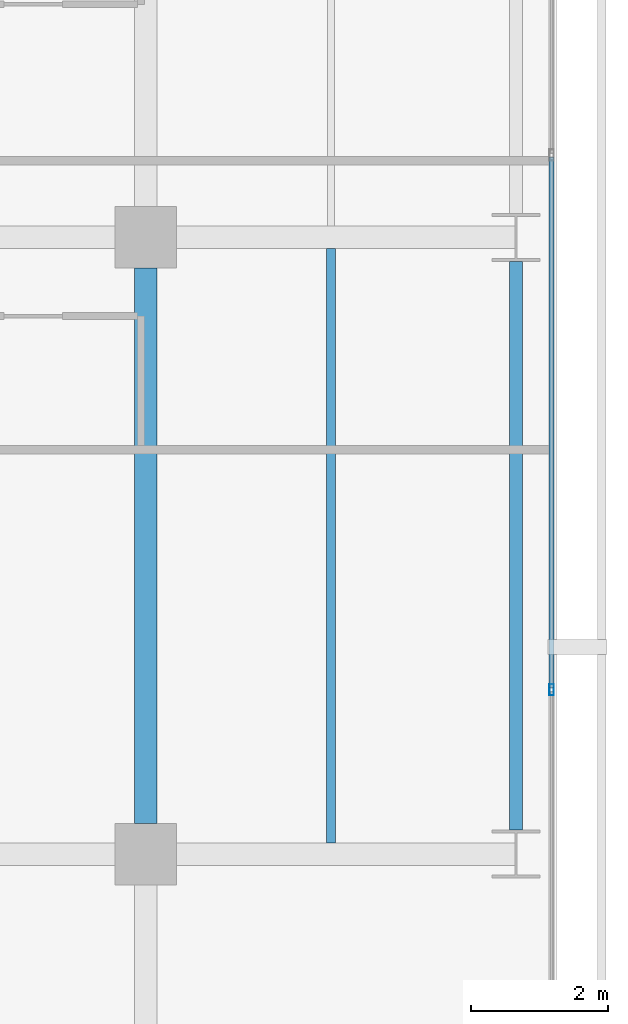
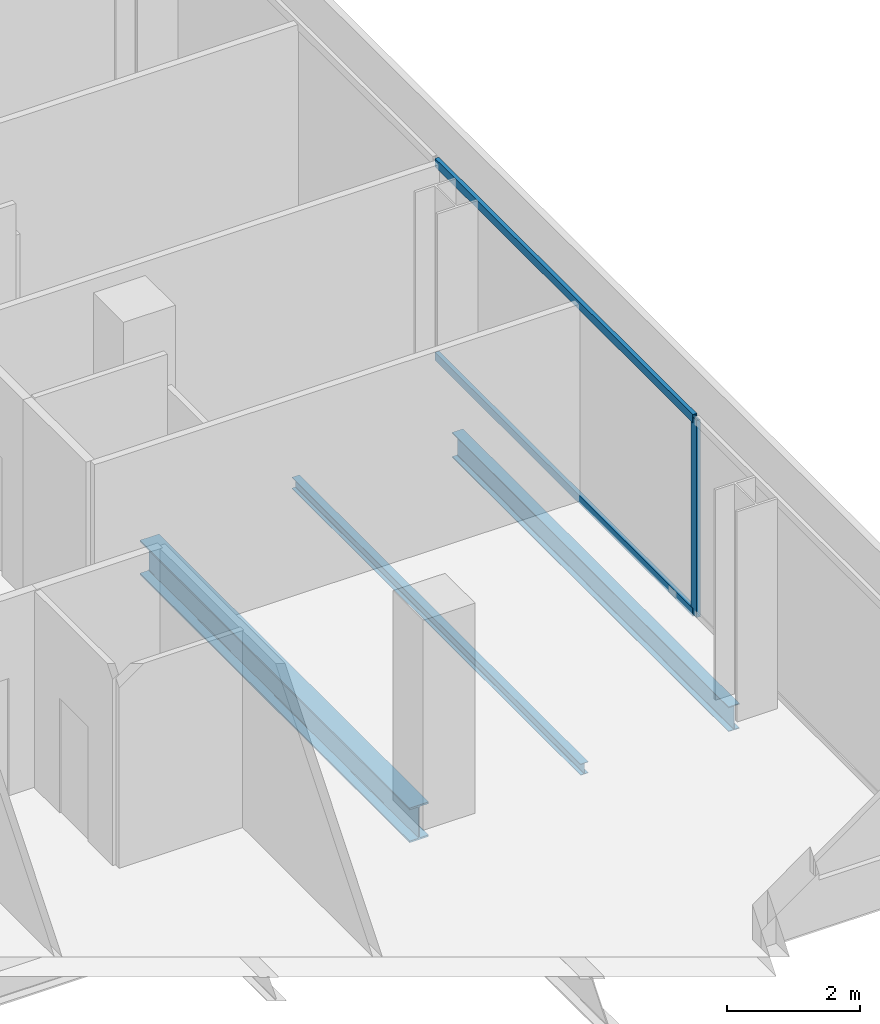
# One storey, part 17 of 40: 3 beams, 3 members, 1 element without a shape of its own.
"""IFC4 building model written with IfcOpenShell, lengths in metres."""

from ifc_helpers import new_model, si_unit, direction, frame, origin, origin_2d, place, context, subcontext, project, spatial, hollow_rectangle, i_section, extrude, material, layer, layer_set, material_profile, profile_set, type_object, element, aggregate, save


model = new_model("IFC4")

# Units and contexts
model_context = context("Model", 3, precision=1e-05, world=origin(), true_north=direction((0.0, 1.0)))
body_context = subcontext(model_context, "Body", "Model", "MODEL_VIEW")
ifc_project = project(units=[si_unit("LENGTHUNIT", "METRE"), si_unit("AREAUNIT", "SQUARE_METRE"), si_unit("VOLUMEUNIT", "CUBIC_METRE"), si_unit("PLANEANGLEUNIT", "RADIAN"), si_unit("MASSUNIT", "GRAM", prefix="KILO")], contexts=[model_context])

# Site, building, storey
site_placement = place(None, origin())
site = spatial("IfcSite", under=ifc_project, at=site_placement, CompositionType="ELEMENT")
building_placement = place(site_placement, origin())
building = spatial("IfcBuilding", under=site, at=building_placement, Name="Maruvema Waterfront Hotel and Observation Tower", CompositionType="ELEMENT")
storey_placement = place(building_placement, frame((0.0, 0.0, 34.64990234375)))
storey = spatial("IfcBuildingStorey", under=building, at=storey_placement, Name="L07", CompositionType="ELEMENT", Elevation=34.64990234375)

# Curtain wall, members
ifc_material_1 = material(Name="Anodised bronze aluminium and solar-control low-E IGU", Category="aluminium")
ifc_layer = layer(ifc_material_1, 0.159912109375, Name="Zone 1 Bronze Inner Thermal Curtain Wall System CW-02")
ifc_layer_set = layer_set([ifc_layer], Name="Anodised bronze aluminium and solar-control low-E IGU")
curtain_wall_type = type_object("IfcCurtainWallType", Name="Zone 1 Bronze Inner Thermal Curtain Wall System CW-02", PredefinedType="USERDEFINED", material=ifc_layer_set)
curtain_wall_placement = place(storey_placement, origin())
curtain_wall = element("IfcCurtainWall", 1, at=curtain_wall_placement, inside=storey, type_object=curtain_wall_type, Name="L07 Curtain Wall CW-L07-E", ObjectType="UNITISED CURTAIN WALL", PredefinedType="USERDEFINED")
ifc_material_2 = material(Name="Anodised architectural bronze aluminium", Category="aluminium")
ifc_material_profile_1 = material_profile(ifc_material_2, hollow_rectangle(XDim=0.070068359375, YDim=0.14990234375, WallThickness=0.00390625, at=origin_2d()), Name="ALU-T70x150")
ifc_profile_set_1 = profile_set([ifc_material_profile_1], Name="Anodised architectural bronze aluminium")
member_type_1 = type_object("IfcMemberType", Name="Curtain Wall Horizontal Transom ALU-T70x150", PredefinedType="USERDEFINED", material=ifc_profile_set_1)
member_1_placement = place(storey_placement, frame((64.719970703125, 11.429931640625, 0.030029296875), z_axis=(0.0, 1.0, 0.0), x_axis=(-1.0, 0.0, 0.0)))
member_1 = element("IfcMember", 2, at=member_1_placement, type_object=member_type_1, Name="CW-02 transom 2.1", ObjectType="TRANSOM", PredefinedType="USERDEFINED", context=body_context, shape_type="SweptSolid", body=[
    extrude(hollow_rectangle(XDim=0.070068359375, YDim=0.14990234375, WallThickness=0.00390625, at=origin_2d()), origin(), (0.0, 0.0, 1.0), 7.739990234375),
])
member_2_placement = place(storey_placement, frame((64.719970703125, 11.429931640625, 3.580078125), z_axis=(0.0, 1.0, 0.0), x_axis=(-1.0, 0.0, 0.0)))
member_2 = element("IfcMember", 3, at=member_2_placement, type_object=member_type_1, Name="CW-02 transom 2.2", ObjectType="TRANSOM", PredefinedType="USERDEFINED", context=body_context, shape_type="SweptSolid", body=[
    extrude(hollow_rectangle(XDim=0.070068359375, YDim=0.14990234375, WallThickness=0.00390625, at=origin_2d()), origin(), (0.0, 0.0, 1.0), 7.739990234375),
])
ifc_material_3 = material(Name="Anodised architectural bronze aluminium", Category="aluminium")
ifc_material_profile_2 = material_profile(ifc_material_3, hollow_rectangle(XDim=0.06494140625, YDim=0.1650390625, WallThickness=0.00390625, at=origin_2d()), Name="ALU-M65x165")
ifc_profile_set_2 = profile_set([ifc_material_profile_2], Name="Anodised architectural bronze aluminium")
member_type_2 = type_object("IfcMemberType", Name="Curtain Wall Primary Mullion ALU-M65x165", PredefinedType="MULLION", material=ifc_profile_set_2)
member_3_placement = place(storey_placement, frame((64.719970703125, 11.39990234375, 0.0), z_axis=(0.0, 0.0, 1.0), x_axis=(-1.0, 0.0, 0.0)))
member_3 = element("IfcMember", 4, at=member_3_placement, type_object=member_type_2, Name="CW-02 mullion 2", PredefinedType="MULLION", context=body_context, shape_type="SweptSolid", body=[
    extrude(hollow_rectangle(XDim=0.06494140625, YDim=0.1650390625, WallThickness=0.00390625, at=origin_2d()), origin(), (0.0, 0.0, 1.0), 3.610107421875),
])
aggregate(curtain_wall, [member_3, member_1, member_2])

# Beams
ifc_material_4 = material(Name="Steel ASTM A572 Grade 50", Category="steel")
ifc_material_profile_3 = material_profile(ifc_material_4, i_section(OverallWidth=0.18994140625, OverallDepth=0.45703125, WebThickness=0.009033203125, FlangeThickness=0.014404296875, FilletRadius=0.014892578125, at=origin_2d()), Name="W460x74.0")
ifc_profile_set_3 = profile_set([ifc_material_profile_3], Name="Steel ASTM A572 Grade 50")
beam_type_1 = type_object("IfcBeamType", Name="Perimeter Spandrel Beam W460x74.0", PredefinedType="SPANDREL", material=ifc_profile_set_3)
beam_1_placement = place(storey_placement, frame((64.199951171875, 9.35009765625, -0.468505859375), z_axis=(0.0, 1.0, 0.0), x_axis=(-1.0, 0.0, 0.0)))
element("IfcBeam", 5, at=beam_1_placement, inside=storey, type_object=beam_type_1, Name="L07 Floor Girder NS-33", PredefinedType="SPANDREL", context=body_context, shape_type="SweptSolid", body=[
    extrude(i_section(OverallWidth=0.18994140625, OverallDepth=0.45703125, WebThickness=0.009033203125, FlangeThickness=0.014404296875, FilletRadius=0.014892578125, at=origin_2d()), origin(), (0.0, 0.0, 1.0), 8.2998046875),
])
ifc_material_5 = material(Name="Steel ASTM A572 Grade 50", Category="steel")
ifc_material_profile_4 = material_profile(ifc_material_5, i_section(OverallWidth=0.3291015625, OverallDepth=0.635009765625, WebThickness=0.017822265625, FlangeThickness=0.031005859375, FilletRadius=0.01806640625, at=origin_2d()), Name="W610x241.0")
ifc_profile_set_4 = profile_set([ifc_material_profile_4], Name="Steel ASTM A572 Grade 50")
beam_type_2 = type_object("IfcBeamType", Name="Primary Floor Girder W610x241.0", PredefinedType="BEAM", material=ifc_profile_set_4)
beam_2_placement = place(storey_placement, frame((58.800048828125, 9.449951171875, -0.557373046875), z_axis=(0.0, 1.0, 0.0), x_axis=(-1.0, 0.0, 0.0)))
element("IfcBeam", 6, at=beam_2_placement, inside=storey, type_object=beam_type_2, Name="L07 Floor Girder NS-28", PredefinedType="BEAM", context=body_context, shape_type="SweptSolid", body=[
    extrude(i_section(OverallWidth=0.3291015625, OverallDepth=0.635009765625, WebThickness=0.017822265625, FlangeThickness=0.031005859375, FilletRadius=0.01806640625, at=origin_2d()), origin(), (0.0, 0.0, 1.0), 8.10009765625),
])
ifc_material_6 = material(Name="Steel ASTM A572 Grade 50", Category="steel")
ifc_material_profile_5 = material_profile(ifc_material_6, i_section(OverallWidth=0.133056640625, OverallDepth=0.20703125, WebThickness=0.005859375, FlangeThickness=0.00830078125, FilletRadius=0.010009765625, at=origin_2d()), Name="W200x26.6")
ifc_profile_set_5 = profile_set([ifc_material_profile_5], Name="Steel ASTM A572 Grade 50")
beam_type_3 = type_object("IfcBeamType", Name="Secondary Floor Joist W200x26.6", PredefinedType="JOIST", material=ifc_profile_set_5)
beam_3_placement = place(storey_placement, frame((61.5, 9.16455078125, -0.343505859375), z_axis=(0.0, 1.0, 0.0), x_axis=(-1.0, 0.0, 0.0)))
element("IfcBeam", 7, at=beam_3_placement, inside=storey, type_object=beam_type_3, Name="L07 Secondary Floor Joist JS-21", PredefinedType="JOIST", context=body_context, shape_type="SweptSolid", body=[
    extrude(i_section(OverallWidth=0.133056640625, OverallDepth=0.20703125, WebThickness=0.005859375, FlangeThickness=0.00830078125, FilletRadius=0.010009765625, at=origin_2d()), origin(), (0.0, 0.0, 1.0), 8.6708984375),
])

save(model, "model.ifc")
